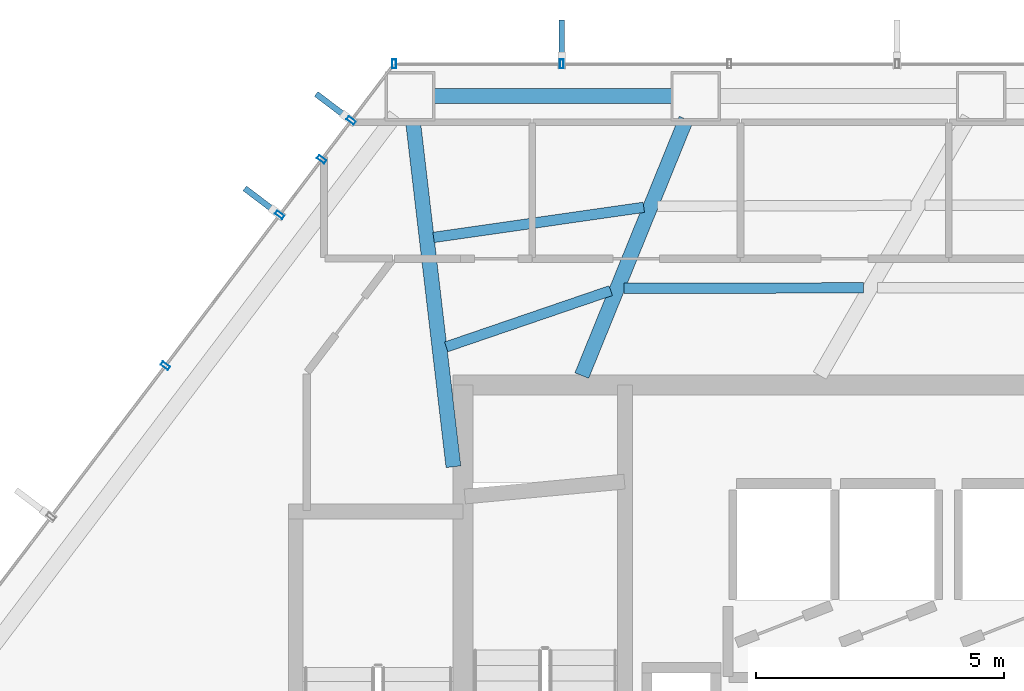
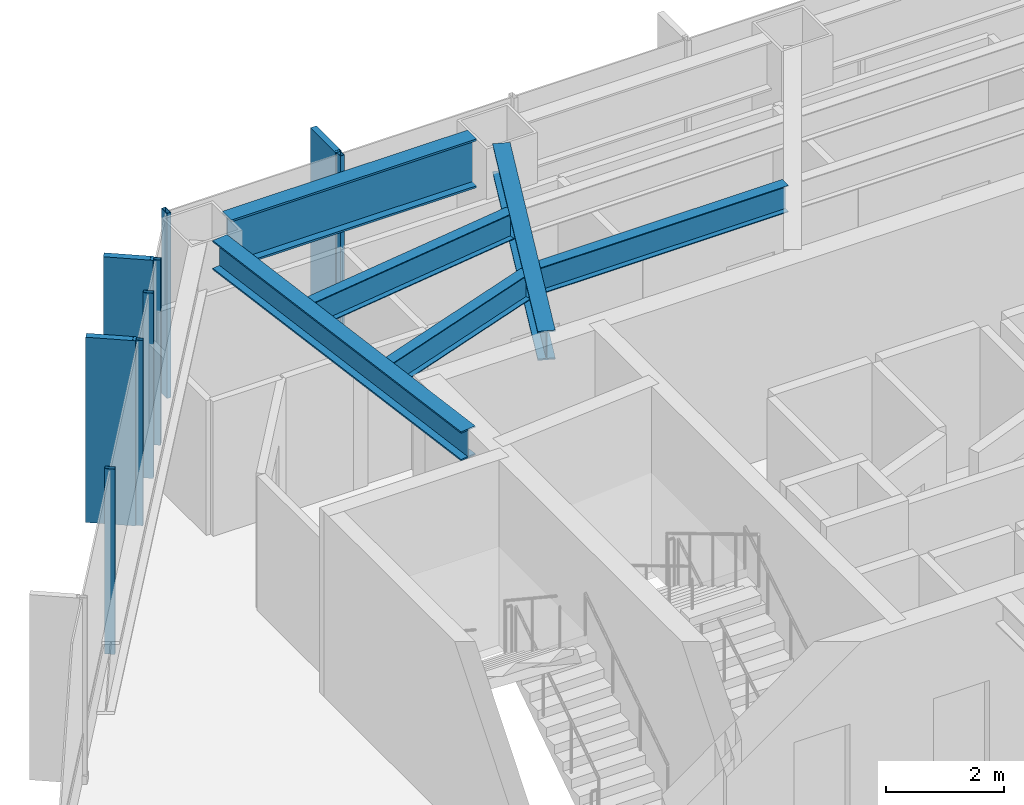
# One storey, part 12 of 25: 9 members, 6 beams, 2 elements without a shape of their own.
"""IFC4 building model written with IfcOpenShell, lengths in metres."""

import ifcopenshell
import ifcopenshell.guid

model = None  # the IFC model being written
_history = None  # IfcOwnerHistory: only IFC2X3 demands one
_inside = {}  # id of a spatial element -> (the spatial element, [elements in it])
_under = {}  # id of a project, library or spatial element -> (it, [spatial elements below it])
_declared = {}  # id of a project -> (the project, [libraries it declares])
_typed = {}  # id of a type object -> (the type object, [elements of that type])
_made_of = {}  # id of a material, layer set ... -> (it, [elements and type objects made of it])


def new_model(schema):
    """Start an empty IFC model of exactly this schema.

    Asked for "IFC4X3", IfcOpenShell would pick the latest addendum, in which some entities
    have other attributes; the version numbers below select the first issue.
    IFC2X3 requires an IfcOwnerHistory on every rooted entity: one is made here for all.
    """
    global model, _history
    if schema == "IFC4X3":
        model = ifcopenshell.file(schema_version=(4, 3, 0, 0))
    else:
        model = ifcopenshell.file(schema=schema)
    _inside.clear()
    _under.clear()
    _declared.clear()
    _typed.clear()
    _made_of.clear()
    _history = None
    if model.schema == "IFC2X3":
        org = make("IfcOrganization", Name="unknown")
        user = make(
            "IfcPersonAndOrganization",
            ThePerson=make("IfcPerson", FamilyName="unknown"),
            TheOrganization=org,
        )
        app = make(
            "IfcApplication",
            ApplicationDeveloper=org,
            Version="unknown",
            ApplicationFullName="unknown",
            ApplicationIdentifier="unknown",
        )
        _history = make(
            "IfcOwnerHistory",
            OwningUser=user,
            OwningApplication=app,
            ChangeAction="ADDED",
            CreationDate=0,
        )
    return model


def make(cls, **values):
    """One entity of the class cls with the attributes given. An attribute that is None is left unset."""
    return model.create_entity(
        cls, **{name: value for name, value in values.items() if value is not None}
    )


def rooted(cls, **values):
    """An entity with a GlobalId (a new one), such as an element, a storey or a relation."""
    return make(cls, GlobalId=ifcopenshell.guid.new(), OwnerHistory=_history, **values)


def si_unit(unit_type, name, prefix=None):
    """IfcSIUnit, for example si_unit("LENGTHUNIT", "METRE", prefix="MILLI")."""
    return make("IfcSIUnit", UnitType=unit_type, Prefix=prefix, Name=name)


def assignment(units):
    """IfcUnitAssignment: the units of a project."""
    return None if units is None else make("IfcUnitAssignment", Units=units)


def point(xyz):
    """IfcCartesianPoint."""
    return None if xyz is None else make("IfcCartesianPoint", Coordinates=xyz)


def direction(xyz):
    """IfcDirection."""
    return None if xyz is None else make("IfcDirection", DirectionRatios=xyz)


def frame(location, z_axis=None, x_axis=None):
    """IfcAxis2Placement3D, a coordinate frame: its origin and axes. An axis left out is left unset."""
    return make(
        "IfcAxis2Placement3D",
        Location=point(location),
        Axis=direction(z_axis),
        RefDirection=direction(x_axis),
    )


def frame_2d(location, x_axis=None):
    """IfcAxis2Placement2D, a coordinate frame in the plane: its origin and x axis."""
    return make(
        "IfcAxis2Placement2D", Location=point(location), RefDirection=direction(x_axis)
    )


def origin():
    """The frame at (0, 0, 0) with its axes left unset."""
    return frame((0.0, 0.0, 0.0))


def origin_2d():
    """The frame at (0, 0) in the plane with its x axis left unset."""
    return frame_2d((0.0, 0.0))


def place(relative_to, where):
    """IfcLocalPlacement: puts the frame where relative to a parent placement (None: the world)."""
    return make(
        "IfcLocalPlacement", PlacementRelTo=relative_to, RelativePlacement=where
    )


def context(
    kind, dimensions, precision=None, world=None, true_north=None, identifier=None
):
    """IfcGeometricRepresentationContext, for example the 3D "Model" context."""
    return make(
        "IfcGeometricRepresentationContext",
        ContextIdentifier=identifier,
        ContextType=kind,
        CoordinateSpaceDimension=dimensions,
        Precision=precision,
        WorldCoordinateSystem=world,
        TrueNorth=true_north,
    )


def subcontext(parent, identifier, kind, view, scale=None):
    """IfcGeometricRepresentationSubContext, for example "Body" below "Model"."""
    return make(
        "IfcGeometricRepresentationSubContext",
        ContextIdentifier=identifier,
        ContextType=kind,
        ParentContext=parent,
        TargetScale=scale,
        TargetView=view,
    )


def project(units=None, contexts=None):
    """IfcProject with its units and contexts."""
    return rooted(
        "IfcProject",
        Name="project",
        RepresentationContexts=contexts,
        UnitsInContext=assignment(units),
    )


def spatial(cls, under=None, at=None, **own):
    """A site, building, storey or space (cls), placed at a placement, below another one or the project."""
    s = rooted(cls, ObjectPlacement=at, **own)
    if under is not None:
        _under.setdefault(under.id(), (under, []))[1].append(s)
    return s


def profile(cls, at=None, kind="AREA", **sizes):
    """A parametric profile (cls). Its sizes go by their IFC names, for example OverallWidth=200.0."""
    return make(cls, ProfileType=kind, Position=at, **sizes)


def rectangle(**sizes):
    """IfcRectangleProfileDef."""
    return profile("IfcRectangleProfileDef", **sizes)


def hollow_rectangle(**sizes):
    """IfcRectangleHollowProfileDef."""
    return profile("IfcRectangleHollowProfileDef", **sizes)


def i_section(**sizes):
    """IfcIShapeProfileDef."""
    return profile("IfcIShapeProfileDef", **sizes)


def extrude(swept, where, along, depth):
    """IfcExtrudedAreaSolid: the profile swept, set in the frame where, extruded along a direction by depth."""
    return make(
        "IfcExtrudedAreaSolid",
        SweptArea=swept,
        Position=where,
        ExtrudedDirection=direction(along),
        Depth=depth,
    )


def shape(context_of_items, identifier, shape_type, items):
    """IfcShapeRepresentation: the items that make up one representation, for example the "Body"."""
    return make(
        "IfcShapeRepresentation",
        ContextOfItems=context_of_items,
        RepresentationIdentifier=identifier,
        RepresentationType=shape_type,
        Items=items,
    )


def material(Name=None, Category=None):
    """IfcMaterial."""
    return make("IfcMaterial", Name=Name, Category=Category)


def layer(
    of_material, thickness, ventilated=None, Name=None, Category=None, Priority=None
):
    """IfcMaterialLayer: one layer of a wall or slab, of a material (None: an air gap)."""
    return make(
        "IfcMaterialLayer",
        Material=of_material,
        LayerThickness=thickness,
        IsVentilated=ventilated,
        Name=Name,
        Category=Category,
        Priority=Priority,
    )


def layer_set(layers, Name=None):
    """IfcMaterialLayerSet."""
    return make("IfcMaterialLayerSet", MaterialLayers=layers, LayerSetName=Name)


def material_profile(
    of_material, cross_section, Name=None, Category=None, Priority=None
):
    """IfcMaterialProfile: a cross section and its material."""
    return make(
        "IfcMaterialProfile",
        Name=Name,
        Material=of_material,
        Profile=cross_section,
        Priority=Priority,
        Category=Category,
    )


def profile_set(profiles, Name=None, composite=None):
    """IfcMaterialProfileSet."""
    return make(
        "IfcMaterialProfileSet",
        Name=Name,
        MaterialProfiles=profiles,
        CompositeProfile=composite,
    )


def made_of(thing, what):
    """Note that an element or type object is made of a material, layer set ...; save() writes the relation."""
    if what is not None:
        _made_of.setdefault(what.id(), (what, []))[1].append(thing)
    return thing


def type_object(cls, material=None, **own):
    """A type object (cls), such as IfcWallType, which elements share."""
    return made_of(rooted(cls, **own), material)


def element(
    cls,
    number,
    at=None,
    inside=None,
    cuts=None,
    type_object=None,
    material=None,
    context=None,
    identifier="Body",
    shape_type=None,
    held_by="IfcProductDefinitionShape",
    body=None,
    shapes=None,
    **own,
):
    """One element of the class cls, such as IfcWall. Its Tag is "e" and its number.

    at: its placement. inside: the storey or other place that contains it. cuts: it is an
    opening in that element (IfcRelVoidsElement). A single representation is given by context,
    identifier, shape_type and body (its items); several are given by shapes. held_by: the class
    of the entity that holds the representations. save() writes the other relations.
    """
    e = rooted(cls, Tag="e%d" % number, ObjectPlacement=at, **own)
    if body is not None:
        shapes = [shape(context, identifier, shape_type, body)]
    if shapes is not None:
        e.Representation = make(held_by, Representations=shapes)
    if inside is not None:
        _inside.setdefault(inside.id(), (inside, []))[1].append(e)
    if cuts is not None:
        rooted(
            "IfcRelVoidsElement", RelatingBuildingElement=cuts, RelatedOpeningElement=e
        )
    if type_object is not None:
        _typed.setdefault(type_object.id(), (type_object, []))[1].append(e)
    return made_of(e, material)


def aggregate(whole, parts):
    """IfcRelAggregates: a whole, such as a stair, and the parts it consists of."""
    return rooted("IfcRelAggregates", RelatingObject=whole, RelatedObjects=parts)


def save(model, path):
    """Write the relations noted so far, then the file.

    IfcRelAggregates (storeys below a building ...), IfcRelContainedInSpatialStructure (elements
    in a storey), IfcRelDefinesByType, IfcRelAssociatesMaterial and IfcRelDeclares: one each for
    every whole, place, type object, material and project.
    """
    for whole, parts in _under.values():
        aggregate(whole, parts)
    for where, things in _inside.values():
        rooted(
            "IfcRelContainedInSpatialStructure",
            RelatedElements=things,
            RelatingStructure=where,
        )
    for kind, things in _typed.values():
        rooted("IfcRelDefinesByType", RelatedObjects=things, RelatingType=kind)
    for what, things in _made_of.values():
        rooted("IfcRelAssociatesMaterial", RelatedObjects=things, RelatingMaterial=what)
    for by, libraries in _declared.values():
        rooted("IfcRelDeclares", RelatingContext=by, RelatedDefinitions=libraries)
    model.write(path)


model = new_model("IFC4")

# Units and contexts
model_context = context("Model", 3, precision=1e-05, world=origin(), true_north=direction((0.0, 1.0)))
body_context = subcontext(model_context, "Body", "Model", "MODEL_VIEW")
ifc_project = project(units=[si_unit("LENGTHUNIT", "METRE"), si_unit("AREAUNIT", "SQUARE_METRE"), si_unit("VOLUMEUNIT", "CUBIC_METRE"), si_unit("PLANEANGLEUNIT", "RADIAN"), si_unit("MASSUNIT", "GRAM", prefix="KILO")], contexts=[model_context])

# Site, building, storey
site_placement = place(None, origin())
site = spatial("IfcSite", under=ifc_project, at=site_placement, CompositionType="ELEMENT")
building_placement = place(site_placement, origin())
building = spatial("IfcBuilding", under=site, at=building_placement, Name="Zarrinselat Tower", CompositionType="ELEMENT")
storey_placement = place(building_placement, frame((0.0, 0.0, 52.02001953125)))
storey = spatial("IfcBuildingStorey", under=building, at=storey_placement, Name="L12", CompositionType="ELEMENT", Elevation=52.02001953125)

# Beams
ifc_material_1 = material(Name="Steel S355J2", Category="steel")
ifc_material_profile_1 = material_profile(ifc_material_1, i_section(OverallWidth=0.300048828125, OverallDepth=0.60009765625, WebThickness=0.015380859375, FlangeThickness=0.030029296875, at=origin_2d()), Name="HEB 600")
ifc_profile_set_1 = profile_set([ifc_material_profile_1], Name="Steel S355J2")
beam_type_1 = type_object("IfcBeamType", Name="BM-HEB600", PredefinedType="BEAM", material=ifc_profile_set_1)
beam_1_placement = place(storey_placement, frame((31.0, 43.639892578125, 3.52001953125), z_axis=(0.376953879206, 0.926232029759, 0.0), x_axis=(-0.926232029759, 0.376953879206, 0.0)))
element("IfcBeam", 1, at=beam_1_placement, inside=storey, type_object=beam_type_1, Name="L12 Radial Primary Girder RG04", PredefinedType="BEAM", context=body_context, shape_type="SweptSolid", body=[
    extrude(i_section(OverallWidth=0.300048828125, OverallDepth=0.60009765625, WebThickness=0.015380859375, FlangeThickness=0.030029296875, at=origin_2d()), origin(), (0.0, 0.0, 1.0), 5.584716796875),
])
beam_2_placement = place(storey_placement, frame((27.593017578125, 48.779296875, 3.52001953125), z_axis=(0.116252599086, -0.993219680235, 0.0), x_axis=(0.993219680235, 0.116252599086, 0.0)))
element("IfcBeam", 2, at=beam_2_placement, inside=storey, type_object=beam_type_1, Name="L12 Radial Primary Girder RG05", PredefinedType="BEAM", context=body_context, shape_type="SweptSolid", body=[
    extrude(i_section(OverallWidth=0.300048828125, OverallDepth=0.60009765625, WebThickness=0.015380859375, FlangeThickness=0.030029296875, at=origin_2d()), origin(), (0.0, 0.0, 1.0), 7.02685546875),
])
ifc_material_2 = material(Name="Steel S460M", Category="steel")
ifc_material_profile_2 = material_profile(ifc_material_2, i_section(OverallWidth=0.302001953125, OverallDepth=1.008056640625, WebThickness=0.02099609375, FlangeThickness=0.0400390625, at=origin_2d()), Name="HEM 1000")
ifc_profile_set_2 = profile_set([ifc_material_profile_2], Name="Steel S460M")
beam_type_2 = type_object("IfcBeamType", Name="BM-HEM1000", PredefinedType="BEAM", material=ifc_profile_set_2)
beam_3_placement = place(storey_placement, frame((28.0224609375, 49.27783203125, 3.31591796875), z_axis=(1.0, 0.0, 0.0), x_axis=(0.0, 1.0, 0.0)))
element("IfcBeam", 3, at=beam_3_placement, inside=storey, type_object=beam_type_2, Name="L12 Perimeter Spandrel Girder SP04", PredefinedType="BEAM", context=body_context, shape_type="SweptSolid", body=[
    extrude(i_section(OverallWidth=0.302001953125, OverallDepth=1.008056640625, WebThickness=0.02099609375, FlangeThickness=0.0400390625, at=origin_2d()), origin(), (0.0, 0.0, 1.0), 4.783935546875),
])
ifc_material_3 = material(Name="Steel S355J2", Category="steel")
ifc_material_profile_3 = material_profile(ifc_material_3, i_section(OverallWidth=0.2099609375, OverallDepth=0.550048828125, WebThickness=0.010986328125, FlangeThickness=0.01708984375, at=origin_2d()), Name="IPE 550")
ifc_profile_set_3 = profile_set([ifc_material_profile_3], Name="Steel S355J2")
beam_type_3 = type_object("IfcBeamType", Name="BM-IPE550", PredefinedType="JOIST", material=ifc_profile_set_3)
beam_4_placement = place(storey_placement, frame((31.855712890625, 45.39892578125, 3.544921875), z_axis=(0.999997952165, 0.002023775264, 0.0), x_axis=(-0.002023775264, 0.999997952165, 0.0)))
element("IfcBeam", 4, at=beam_4_placement, inside=storey, type_object=beam_type_3, Name="L12 Composite Floor Joist 9-2", PredefinedType="JOIST", context=body_context, shape_type="SweptSolid", body=[
    extrude(i_section(OverallWidth=0.2099609375, OverallDepth=0.550048828125, WebThickness=0.010986328125, FlangeThickness=0.01708984375, at=origin_2d()), origin(), (0.0, 0.0, 1.0), 4.825439453125),
])
beam_5_placement = place(storey_placement, frame((28.00927734375, 46.426025390625, 3.544921875), z_axis=(0.989876430356, 0.141931859093, 0.0), x_axis=(-0.141931859093, 0.989876430356, 0.0)))
element("IfcBeam", 5, at=beam_5_placement, inside=storey, type_object=beam_type_3, Name="L12 Composite Floor Joist 10-1", PredefinedType="JOIST", context=body_context, shape_type="SweptSolid", body=[
    extrude(i_section(OverallWidth=0.2099609375, OverallDepth=0.550048828125, WebThickness=0.010986328125, FlangeThickness=0.01708984375, at=origin_2d()), origin(), (0.0, 0.0, 1.0), 4.284912109375),
])
beam_6_placement = place(storey_placement, frame((28.2646484375, 44.21826171875, 3.544921875), z_axis=(0.946169033833, 0.323672920424, 0.0), x_axis=(-0.323672920424, 0.946169033833, 0.0)))
element("IfcBeam", 6, at=beam_6_placement, inside=storey, type_object=beam_type_3, Name="L12 Composite Floor Joist 10-2", PredefinedType="JOIST", context=body_context, shape_type="SweptSolid", body=[
    extrude(i_section(OverallWidth=0.2099609375, OverallDepth=0.550048828125, WebThickness=0.010986328125, FlangeThickness=0.01708984375, at=origin_2d()), origin(), (0.0, 0.0, 1.0), 3.50732421875),
])

# Curtain wall, members
ifc_material_4 = material(Name="Extruded Aluminium Alloy EN AW-6063 T6", Category="aluminium")
ifc_layer = layer(ifc_material_4, 0.18505859375)
ifc_layer_set = layer_set([ifc_layer], Name="Extruded Aluminium Alloy EN AW-6063 T6")
curtain_wall_type = type_object("IfcCurtainWallType", Name="CWS-OFF", PredefinedType="NOTDEFINED", material=ifc_layer_set)
curtain_wall_1_placement = place(storey_placement, origin())
curtain_wall_1 = element("IfcCurtainWall", 7, at=curtain_wall_1_placement, inside=storey, type_object=curtain_wall_type, Name="L12 Unitised Curtain Wall CW-L12-E01", PredefinedType="NOTDEFINED")
ifc_material_5 = material(Name="Extruded Aluminium Alloy EN AW-6063 T6", Category="aluminium")
ifc_material_profile_4 = material_profile(ifc_material_5, hollow_rectangle(XDim=0.080078125, YDim=0.179931640625, WallThickness=0.0048828125, at=origin_2d()), Name="RHS 180x80x5")
ifc_profile_set_4 = profile_set([ifc_material_profile_4], Name="Extruded Aluminium Alloy EN AW-6063 T6")
member_type_1 = type_object("IfcMemberType", Name="MEM-CW-MUL", PredefinedType="MULLION", material=ifc_profile_set_4)
member_1_placement = place(storey_placement, frame((30.59521484375, 49.927734375, 0.0), z_axis=(0.0, 0.0, 1.0), x_axis=(-1.0, 0.0, 0.0)))
member_1 = element("IfcMember", 8, at=member_1_placement, type_object=member_type_1, Name="CW-L12-E01 Mullion 7", PredefinedType="MULLION", context=body_context, shape_type="SweptSolid", body=[
    extrude(hollow_rectangle(XDim=0.080078125, YDim=0.179931640625, WallThickness=0.0048828125, at=origin_2d()), origin(), (0.0, 0.0, 1.0), 3.820068359375),
])
member_2_placement = place(storey_placement, frame((27.21142578125, 49.927734375, 0.0), z_axis=(0.0, 0.0, 1.0), x_axis=(-1.0, 0.0, 0.0)))
member_2 = element("IfcMember", 9, at=member_2_placement, type_object=member_type_1, Name="CW-L12-E01 Mullion 8", PredefinedType="MULLION", context=body_context, shape_type="SweptSolid", body=[
    extrude(hollow_rectangle(XDim=0.080078125, YDim=0.179931640625, WallThickness=0.0048828125, at=origin_2d()), origin(), (0.0, 0.0, 1.0), 3.820068359375),
])

curtain_wall_2_placement = place(storey_placement, origin())
curtain_wall_2 = element("IfcCurtainWall", 10, at=curtain_wall_2_placement, inside=storey, type_object=curtain_wall_type, Name="L12 Unitised Curtain Wall CW-L12-E02", PredefinedType="NOTDEFINED")
member_3_placement = place(storey_placement, frame((26.3466796875, 48.7861328125, 0.0), z_axis=(0.0, 0.0, 1.0), x_axis=(-0.603859502298, -0.797090773679, 0.0)))
member_3 = element("IfcMember", 11, at=member_3_placement, type_object=member_type_1, Name="CW-L12-E02 Mullion 1", PredefinedType="MULLION", context=body_context, shape_type="SweptSolid", body=[
    extrude(hollow_rectangle(XDim=0.080078125, YDim=0.179931640625, WallThickness=0.0048828125, at=origin_2d()), origin(), (0.0, 0.0, 1.0), 3.820068359375),
])
member_4_placement = place(storey_placement, frame((25.752197265625, 48.00146484375, 0.0), z_axis=(0.0, 0.0, 1.0), x_axis=(-0.603859502298, -0.797090773679, 0.0)))
member_4 = element("IfcMember", 12, at=member_4_placement, type_object=member_type_1, Name="CW-L12-E02 Mullion 2", PredefinedType="MULLION", context=body_context, shape_type="SweptSolid", body=[
    extrude(hollow_rectangle(XDim=0.080078125, YDim=0.179931640625, WallThickness=0.0048828125, at=origin_2d()), origin(), (0.0, 0.0, 1.0), 3.820068359375),
])
member_5_placement = place(storey_placement, frame((24.904541015625, 46.8828125, 0.0), z_axis=(0.0, 0.0, 1.0), x_axis=(-0.603859502298, -0.797090773679, 0.0)))
member_5 = element("IfcMember", 13, at=member_5_placement, type_object=member_type_1, Name="CW-L12-E02 Mullion 3", PredefinedType="MULLION", context=body_context, shape_type="SweptSolid", body=[
    extrude(hollow_rectangle(XDim=0.080078125, YDim=0.179931640625, WallThickness=0.0048828125, at=origin_2d()), origin(), (0.0, 0.0, 1.0), 3.820068359375),
])
member_6_placement = place(storey_placement, frame((22.59765625, 43.837646484375, 0.0), z_axis=(0.0, 0.0, 1.0), x_axis=(-0.603859502298, -0.797090773679, 0.0)))
member_6 = element("IfcMember", 14, at=member_6_placement, type_object=member_type_1, Name="CW-L12-E02 Mullion 4", PredefinedType="MULLION", context=body_context, shape_type="SweptSolid", body=[
    extrude(hollow_rectangle(XDim=0.080078125, YDim=0.179931640625, WallThickness=0.0048828125, at=origin_2d()), origin(), (0.0, 0.0, 1.0), 3.820068359375),
])

# Member
ifc_material_6 = material(Name="Honed Cream Travertine Stone", Category="masonry")
ifc_material_profile_5 = material_profile(ifc_material_6, rectangle(XDim=0.1201171875, YDim=0.85009765625, at=origin_2d()), Name="FIN 850x120")
ifc_profile_set_5 = profile_set([ifc_material_profile_5], Name="Honed Cream Travertine Stone")
member_type_2 = type_object("IfcMemberType", Name="MEM-STONE-FIN", PredefinedType="USERDEFINED", material=ifc_profile_set_5)
member_7_placement = place(storey_placement, frame((30.59521484375, 50.3876953125, 0.0), z_axis=(0.0, 0.0, 1.0), x_axis=(1.0, 0.0, 0.0)))
member_7 = element("IfcMember", 15, at=member_7_placement, type_object=member_type_2, Name="L12 Stone Shading Fin CW-L12-E01-07", ObjectType="FIN", PredefinedType="USERDEFINED", context=body_context, shape_type="SweptSolid", body=[
    extrude(rectangle(XDim=0.1201171875, YDim=0.85009765625, at=origin_2d()), origin(), (0.0, 0.0, 1.0), 3.820068359375),
])

aggregate(curtain_wall_1, [member_1, member_7, member_2])

member_8_placement = place(storey_placement, frame((25.97998046875, 49.06396484375, 0.0), z_axis=(0.0, 0.0, 1.0), x_axis=(0.603859502298, 0.797090773679, 0.0)))
member_8 = element("IfcMember", 16, at=member_8_placement, type_object=member_type_2, Name="L12 Stone Shading Fin CW-L12-E02-01", ObjectType="FIN", PredefinedType="USERDEFINED", context=body_context, shape_type="SweptSolid", body=[
    extrude(rectangle(XDim=0.1201171875, YDim=0.85009765625, at=origin_2d()), origin(), (0.0, 0.0, 1.0), 3.820068359375),
])

member_9_placement = place(storey_placement, frame((24.537841796875, 47.160400390625, 0.0), z_axis=(0.0, 0.0, 1.0), x_axis=(0.603859502298, 0.797090773679, 0.0)))
member_9 = element("IfcMember", 17, at=member_9_placement, type_object=member_type_2, Name="L12 Stone Shading Fin CW-L12-E02-03", ObjectType="FIN", PredefinedType="USERDEFINED", context=body_context, shape_type="SweptSolid", body=[
    extrude(rectangle(XDim=0.1201171875, YDim=0.85009765625, at=origin_2d()), origin(), (0.0, 0.0, 1.0), 3.820068359375),
])

aggregate(curtain_wall_2, [member_3, member_8, member_4, member_5, member_9, member_6])

save(model, "model.ifc")
